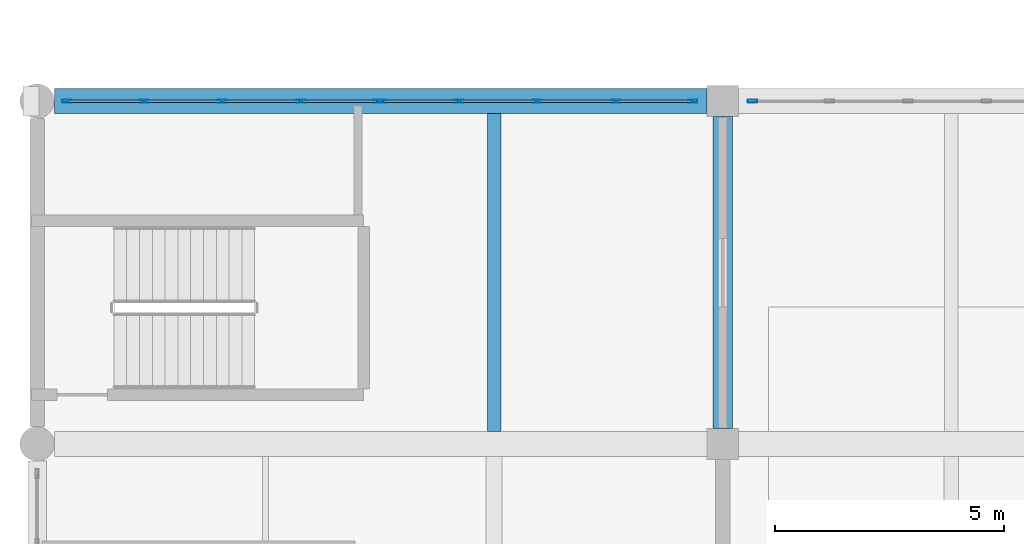
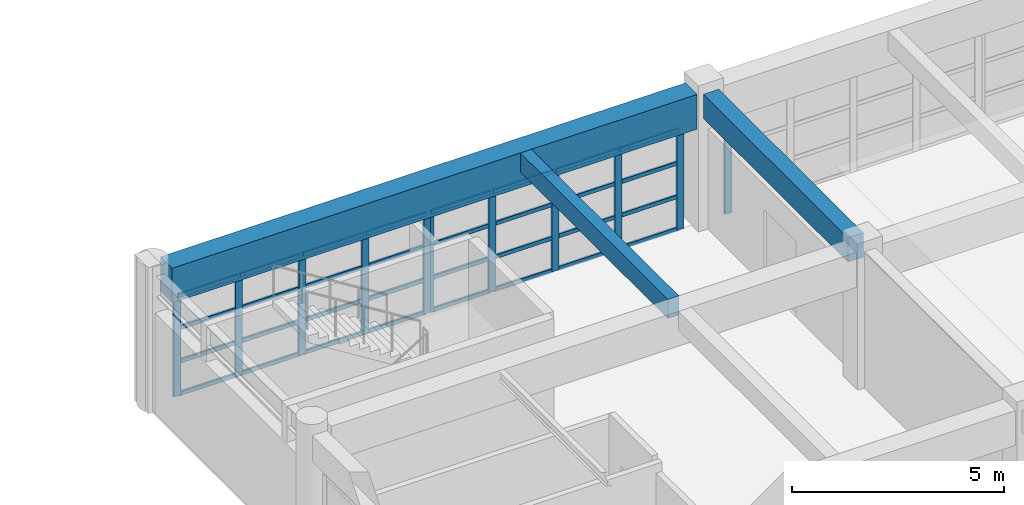
# One storey, part 20 of 132: 43 members, 3 beams, 3 elements without a shape of their own.
"""IFC4 building model written with IfcOpenShell, lengths in metres."""

from ifc_helpers import new_model, si_unit, direction, frame, origin, origin_2d, place, context, subcontext, project, spatial, rectangle, hollow_rectangle, extrude, material, material_profile, profile_set, type_object, element, aggregate, save


model = new_model("IFC4")

# Units and contexts
model_context = context("Model", 3, precision=1e-05, world=origin(), true_north=direction((0.0, 1.0)))
body_context = subcontext(model_context, "Body", "Model", "MODEL_VIEW")
ifc_project = project(units=[si_unit("LENGTHUNIT", "METRE"), si_unit("AREAUNIT", "SQUARE_METRE"), si_unit("VOLUMEUNIT", "CUBIC_METRE"), si_unit("PLANEANGLEUNIT", "RADIAN"), si_unit("MASSUNIT", "GRAM", prefix="KILO")], contexts=[model_context])

# Site, building, storey
site_placement = place(None, origin())
site = spatial("IfcSite", under=ifc_project, at=site_placement, CompositionType="ELEMENT")
building_placement = place(site_placement, origin())
building = spatial("IfcBuilding", under=site, at=building_placement, Name="Qasida Concert Hall", CompositionType="ELEMENT")
storey_placement = place(building_placement, frame((0.0, 0.0, 4.800048828125)))
storey = spatial("IfcBuildingStorey", under=building, at=storey_placement, Name="L01", CompositionType="ELEMENT", Elevation=4.800048828125)

# Beams
ifc_material_1 = material(Name="Concrete C40/50", Category="concrete")
ifc_material_profile_1 = material_profile(ifc_material_1, rectangle(XDim=0.419921875, YDim=0.699951171875, at=origin_2d()), Name="RC 420x700")
ifc_profile_set_1 = profile_set([ifc_material_profile_1], Name="Concrete C40/50")
beam_type_1 = type_object("IfcBeamType", Name="BM-B11", PredefinedType="BEAM", material=ifc_profile_set_1)
beam_1_placement = place(storey_placement, frame((15.0, 45.340087890625, 3.570068359375), z_axis=(0.0, 1.0, 0.0), x_axis=(-1.0, 0.0, 0.0)))
element("IfcBeam", 1, at=beam_1_placement, inside=storey, type_object=beam_type_1, Name="L01 girder 0933", PredefinedType="BEAM", context=body_context, shape_type="SweptSolid", body=[
    extrude(rectangle(XDim=0.419921875, YDim=0.699951171875, at=origin_2d()), origin(), (0.0, 0.0, 1.0), 6.81982421875),
])
ifc_material_profile_2 = material_profile(ifc_material_1, rectangle(XDim=0.550048828125, YDim=1.0, at=origin_2d()), Name="RC 550x1000")
ifc_profile_set_2 = profile_set([ifc_material_profile_2], Name="Concrete C40/50")
beam_type_2 = type_object("IfcBeamType", Name="BM-G3", PredefinedType="USERDEFINED", material=ifc_profile_set_2)
beam_2_placement = place(storey_placement, frame((0.375, 52.5, 3.419921875), z_axis=(1.0, 0.0, 0.0), x_axis=(0.0, 1.0, 0.0)))
element("IfcBeam", 2, at=beam_2_placement, inside=storey, type_object=beam_type_2, Name="Primary girder 0917", ObjectType="GIRDER", PredefinedType="USERDEFINED", context=body_context, shape_type="SweptSolid", body=[
    extrude(rectangle(XDim=0.550048828125, YDim=1.0, at=origin_2d()), origin(), (0.0, 0.0, 1.0), 14.284912109375),
])
ifc_material_profile_3 = material_profile(ifc_material_1, rectangle(XDim=0.300048828125, YDim=0.550048828125, at=origin_2d()), Name="RC 300x550")
ifc_profile_set_3 = profile_set([ifc_material_profile_3], Name="Concrete C40/50")
beam_type_3 = type_object("IfcBeamType", Name="BM-J1", PredefinedType="JOIST", material=ifc_profile_set_3)
beam_3_placement = place(storey_placement, frame((10.0, 45.27490234375, 3.64501953125), z_axis=(0.0, 1.0, 0.0), x_axis=(-1.0, 0.0, 0.0)))
element("IfcBeam", 3, at=beam_3_placement, inside=storey, type_object=beam_type_3, Name="L01 secondary joist 0959", PredefinedType="JOIST", context=body_context, shape_type="SweptSolid", body=[
    extrude(rectangle(XDim=0.300048828125, YDim=0.550048828125, at=origin_2d()), origin(), (0.0, 0.0, 1.0), 6.9501953125),
])

# Curtain wall, members
ifc_material_2 = material(Name="Architectural bronze-anodized aluminium and low-E glass", Category="aluminium")
curtain_wall_type = type_object("IfcCurtainWallType", Name="CW-07", PredefinedType="NOTDEFINED", material=ifc_material_2)
curtain_wall_1_placement = place(storey_placement, origin())
curtain_wall_1 = element("IfcCurtainWall", 4, at=curtain_wall_1_placement, inside=storey, type_object=curtain_wall_type, Name="L01 curtain wall CW-07 0082", PredefinedType="NOTDEFINED")
ifc_material_3 = material(Name="Architectural bronze-anodized aluminium EN AW-6063", Category="aluminium")
ifc_material_profile_4 = material_profile(ifc_material_3, hollow_rectangle(XDim=0.06494140625, YDim=0.199951171875, WallThickness=0.0048828125, InnerFilletRadius=0.0048828125, OuterFilletRadius=0.010009765625, at=origin_2d()), Name="CWM 200x65x5")
ifc_profile_set_4 = profile_set([ifc_material_profile_4], Name="Architectural bronze-anodized aluminium EN AW-6063")
member_type_1 = type_object("IfcMemberType", Name="MB-CWM-2", PredefinedType="MULLION", material=ifc_profile_set_4)
member_1_placement = place(storey_placement, frame((0.652587890625, 52.5, 0.0), z_axis=(0.0, 0.0, 1.0), x_axis=(0.0, 1.0, 0.0)))
member_1 = element("IfcMember", 5, at=member_1_placement, type_object=member_type_1, Name="CW-07 mullion 1", PredefinedType="MULLION", context=body_context, shape_type="SweptSolid", body=[
    extrude(hollow_rectangle(XDim=0.06494140625, YDim=0.199951171875, WallThickness=0.0048828125, InnerFilletRadius=0.0048828125, OuterFilletRadius=0.010009765625, at=origin_2d()), origin(), (0.0, 0.0, 1.0), 2.889892578125),
])
member_2_placement = place(storey_placement, frame((2.33740234375, 52.5, 0.0), z_axis=(0.0, 0.0, 1.0), x_axis=(0.0, 1.0, 0.0)))
member_2 = element("IfcMember", 6, at=member_2_placement, type_object=member_type_1, Name="CW-07 mullion 2", PredefinedType="MULLION", context=body_context, shape_type="SweptSolid", body=[
    extrude(hollow_rectangle(XDim=0.06494140625, YDim=0.199951171875, WallThickness=0.0048828125, InnerFilletRadius=0.0048828125, OuterFilletRadius=0.010009765625, at=origin_2d()), origin(), (0.0, 0.0, 1.0), 2.889892578125),
])
member_3_placement = place(storey_placement, frame((4.054931640625, 52.5, 0.0), z_axis=(0.0, 0.0, 1.0), x_axis=(0.0, 1.0, 0.0)))
member_3 = element("IfcMember", 7, at=member_3_placement, type_object=member_type_1, Name="CW-07 mullion 3", PredefinedType="MULLION", context=body_context, shape_type="SweptSolid", body=[
    extrude(hollow_rectangle(XDim=0.06494140625, YDim=0.199951171875, WallThickness=0.0048828125, InnerFilletRadius=0.0048828125, OuterFilletRadius=0.010009765625, at=origin_2d()), origin(), (0.0, 0.0, 1.0), 2.889892578125),
])
member_4_placement = place(storey_placement, frame((5.7724609375, 52.5, 0.0), z_axis=(0.0, 0.0, 1.0), x_axis=(0.0, 1.0, 0.0)))
member_4 = element("IfcMember", 8, at=member_4_placement, type_object=member_type_1, Name="CW-07 mullion 4", PredefinedType="MULLION", context=body_context, shape_type="SweptSolid", body=[
    extrude(hollow_rectangle(XDim=0.06494140625, YDim=0.199951171875, WallThickness=0.0048828125, InnerFilletRadius=0.0048828125, OuterFilletRadius=0.010009765625, at=origin_2d()), origin(), (0.0, 0.0, 1.0), 2.889892578125),
])
member_5_placement = place(storey_placement, frame((7.45751953125, 52.5, 0.0), z_axis=(0.0, 0.0, 1.0), x_axis=(0.0, 1.0, 0.0)))
member_5 = element("IfcMember", 9, at=member_5_placement, type_object=member_type_1, Name="CW-07 mullion 5", PredefinedType="MULLION", context=body_context, shape_type="SweptSolid", body=[
    extrude(hollow_rectangle(XDim=0.06494140625, YDim=0.199951171875, WallThickness=0.0048828125, InnerFilletRadius=0.0048828125, OuterFilletRadius=0.010009765625, at=origin_2d()), origin(), (0.0, 0.0, 1.0), 2.889892578125),
])

curtain_wall_2_placement = place(storey_placement, origin())
curtain_wall_2 = element("IfcCurtainWall", 10, at=curtain_wall_2_placement, inside=storey, type_object=curtain_wall_type, Name="L01 curtain wall CW-07 0084", PredefinedType="NOTDEFINED")
member_6_placement = place(storey_placement, frame((7.54248046875, 52.5, 0.0), z_axis=(0.0, 0.0, 1.0), x_axis=(0.0, 1.0, 0.0)))
member_6 = element("IfcMember", 11, at=member_6_placement, type_object=member_type_1, Name="CW-07 mullion 1", PredefinedType="MULLION", context=body_context, shape_type="SweptSolid", body=[
    extrude(hollow_rectangle(XDim=0.06494140625, YDim=0.199951171875, WallThickness=0.0048828125, InnerFilletRadius=0.0048828125, OuterFilletRadius=0.010009765625, at=origin_2d()), origin(), (0.0, 0.0, 1.0), 2.889892578125),
])
member_7_placement = place(storey_placement, frame((9.2275390625, 52.5, 0.0), z_axis=(0.0, 0.0, 1.0), x_axis=(0.0, 1.0, 0.0)))
member_7 = element("IfcMember", 12, at=member_7_placement, type_object=member_type_1, Name="CW-07 mullion 2", PredefinedType="MULLION", context=body_context, shape_type="SweptSolid", body=[
    extrude(hollow_rectangle(XDim=0.06494140625, YDim=0.199951171875, WallThickness=0.0048828125, InnerFilletRadius=0.0048828125, OuterFilletRadius=0.010009765625, at=origin_2d()), origin(), (0.0, 0.0, 1.0), 2.889892578125),
])
member_8_placement = place(storey_placement, frame((10.945068359375, 52.5, 0.0), z_axis=(0.0, 0.0, 1.0), x_axis=(0.0, 1.0, 0.0)))
member_8 = element("IfcMember", 13, at=member_8_placement, type_object=member_type_1, Name="CW-07 mullion 3", PredefinedType="MULLION", context=body_context, shape_type="SweptSolid", body=[
    extrude(hollow_rectangle(XDim=0.06494140625, YDim=0.199951171875, WallThickness=0.0048828125, InnerFilletRadius=0.0048828125, OuterFilletRadius=0.010009765625, at=origin_2d()), origin(), (0.0, 0.0, 1.0), 2.889892578125),
])
member_9_placement = place(storey_placement, frame((12.66259765625, 52.5, 0.0), z_axis=(0.0, 0.0, 1.0), x_axis=(0.0, 1.0, 0.0)))
member_9 = element("IfcMember", 14, at=member_9_placement, type_object=member_type_1, Name="CW-07 mullion 4", PredefinedType="MULLION", context=body_context, shape_type="SweptSolid", body=[
    extrude(hollow_rectangle(XDim=0.06494140625, YDim=0.199951171875, WallThickness=0.0048828125, InnerFilletRadius=0.0048828125, OuterFilletRadius=0.010009765625, at=origin_2d()), origin(), (0.0, 0.0, 1.0), 2.889892578125),
])
member_10_placement = place(storey_placement, frame((14.347412109375, 52.5, 0.0), z_axis=(0.0, 0.0, 1.0), x_axis=(0.0, 1.0, 0.0)))
member_10 = element("IfcMember", 15, at=member_10_placement, type_object=member_type_1, Name="CW-07 mullion 5", PredefinedType="MULLION", context=body_context, shape_type="SweptSolid", body=[
    extrude(hollow_rectangle(XDim=0.06494140625, YDim=0.199951171875, WallThickness=0.0048828125, InnerFilletRadius=0.0048828125, OuterFilletRadius=0.010009765625, at=origin_2d()), origin(), (0.0, 0.0, 1.0), 2.889892578125),
])

# Curtain wall, member
curtain_wall_3_placement = place(storey_placement, origin())
curtain_wall_3 = element("IfcCurtainWall", 16, at=curtain_wall_3_placement, inside=storey, type_object=curtain_wall_type, Name="L01 curtain wall CW-07 0086", PredefinedType="NOTDEFINED")
member_11_placement = place(storey_placement, frame((15.652587890625, 52.5, 0.0), z_axis=(0.0, 0.0, 1.0), x_axis=(0.0, 1.0, 0.0)))
member_11 = element("IfcMember", 17, at=member_11_placement, type_object=member_type_1, Name="CW-07 mullion 1", PredefinedType="MULLION", context=body_context, shape_type="SweptSolid", body=[
    extrude(hollow_rectangle(XDim=0.06494140625, YDim=0.199951171875, WallThickness=0.0048828125, InnerFilletRadius=0.0048828125, OuterFilletRadius=0.010009765625, at=origin_2d()), origin(), (0.0, 0.0, 1.0), 2.889892578125),
])
aggregate(curtain_wall_3, [member_11])

# Member
ifc_material_profile_5 = material_profile(ifc_material_3, hollow_rectangle(XDim=0.06005859375, YDim=0.1201171875, WallThickness=0.00390625, InnerFilletRadius=0.00390625, OuterFilletRadius=0.008056640625, at=origin_2d()), Name="CWT 120x60x4")
ifc_profile_set_5 = profile_set([ifc_material_profile_5], Name="Architectural bronze-anodized aluminium EN AW-6063")
member_type_2 = type_object("IfcMemberType", Name="MB-CWT-2", PredefinedType="USERDEFINED", material=ifc_profile_set_5)
member_12_placement = place(storey_placement, frame((0.68505859375, 52.5, 0.030029296875), z_axis=(1.0, 0.0, 0.0), x_axis=(0.0, 1.0, 0.0)))
member_12 = element("IfcMember", 18, at=member_12_placement, type_object=member_type_2, Name="CW-07 transom 1.1", ObjectType="TRANSOM", PredefinedType="USERDEFINED", context=body_context, shape_type="SweptSolid", body=[
    extrude(hollow_rectangle(XDim=0.06005859375, YDim=0.1201171875, WallThickness=0.00390625, InnerFilletRadius=0.00390625, OuterFilletRadius=0.008056640625, at=origin_2d()), origin(), (0.0, 0.0, 1.0), 1.619873046875),
])

member_13_placement = place(storey_placement, frame((0.68505859375, 52.5, 0.963134765625), z_axis=(1.0, 0.0, 0.0), x_axis=(0.0, 1.0, 0.0)))
member_13 = element("IfcMember", 19, at=member_13_placement, type_object=member_type_2, Name="CW-07 transom 1.2", ObjectType="TRANSOM", PredefinedType="USERDEFINED", context=body_context, shape_type="SweptSolid", body=[
    extrude(hollow_rectangle(XDim=0.06005859375, YDim=0.1201171875, WallThickness=0.00390625, InnerFilletRadius=0.00390625, OuterFilletRadius=0.008056640625, at=origin_2d()), origin(), (0.0, 0.0, 1.0), 1.619873046875),
])

member_14_placement = place(storey_placement, frame((0.68505859375, 52.5, 1.9267578125), z_axis=(1.0, 0.0, 0.0), x_axis=(0.0, 1.0, 0.0)))
member_14 = element("IfcMember", 20, at=member_14_placement, type_object=member_type_2, Name="CW-07 transom 1.3", ObjectType="TRANSOM", PredefinedType="USERDEFINED", context=body_context, shape_type="SweptSolid", body=[
    extrude(hollow_rectangle(XDim=0.06005859375, YDim=0.1201171875, WallThickness=0.00390625, InnerFilletRadius=0.00390625, OuterFilletRadius=0.008056640625, at=origin_2d()), origin(), (0.0, 0.0, 1.0), 1.619873046875),
])

member_15_placement = place(storey_placement, frame((0.68505859375, 52.5, 2.85986328125), z_axis=(1.0, 0.0, 0.0), x_axis=(0.0, 1.0, 0.0)))
member_15 = element("IfcMember", 21, at=member_15_placement, type_object=member_type_2, Name="CW-07 transom 1.4", ObjectType="TRANSOM", PredefinedType="USERDEFINED", context=body_context, shape_type="SweptSolid", body=[
    extrude(hollow_rectangle(XDim=0.06005859375, YDim=0.1201171875, WallThickness=0.00390625, InnerFilletRadius=0.00390625, OuterFilletRadius=0.008056640625, at=origin_2d()), origin(), (0.0, 0.0, 1.0), 1.619873046875),
])

member_16_placement = place(storey_placement, frame((2.3701171875, 52.5, 0.030029296875), z_axis=(1.0, 0.0, 0.0), x_axis=(0.0, 1.0, 0.0)))
member_16 = element("IfcMember", 22, at=member_16_placement, type_object=member_type_2, Name="CW-07 transom 2.1", ObjectType="TRANSOM", PredefinedType="USERDEFINED", context=body_context, shape_type="SweptSolid", body=[
    extrude(hollow_rectangle(XDim=0.06005859375, YDim=0.1201171875, WallThickness=0.00390625, InnerFilletRadius=0.00390625, OuterFilletRadius=0.008056640625, at=origin_2d()), origin(), (0.0, 0.0, 1.0), 1.65234375),
])

member_17_placement = place(storey_placement, frame((2.3701171875, 52.5, 0.963134765625), z_axis=(1.0, 0.0, 0.0), x_axis=(0.0, 1.0, 0.0)))
member_17 = element("IfcMember", 23, at=member_17_placement, type_object=member_type_2, Name="CW-07 transom 2.2", ObjectType="TRANSOM", PredefinedType="USERDEFINED", context=body_context, shape_type="SweptSolid", body=[
    extrude(hollow_rectangle(XDim=0.06005859375, YDim=0.1201171875, WallThickness=0.00390625, InnerFilletRadius=0.00390625, OuterFilletRadius=0.008056640625, at=origin_2d()), origin(), (0.0, 0.0, 1.0), 1.65234375),
])

member_18_placement = place(storey_placement, frame((2.3701171875, 52.5, 1.9267578125), z_axis=(1.0, 0.0, 0.0), x_axis=(0.0, 1.0, 0.0)))
member_18 = element("IfcMember", 24, at=member_18_placement, type_object=member_type_2, Name="CW-07 transom 2.3", ObjectType="TRANSOM", PredefinedType="USERDEFINED", context=body_context, shape_type="SweptSolid", body=[
    extrude(hollow_rectangle(XDim=0.06005859375, YDim=0.1201171875, WallThickness=0.00390625, InnerFilletRadius=0.00390625, OuterFilletRadius=0.008056640625, at=origin_2d()), origin(), (0.0, 0.0, 1.0), 1.65234375),
])

member_19_placement = place(storey_placement, frame((2.3701171875, 52.5, 2.85986328125), z_axis=(1.0, 0.0, 0.0), x_axis=(0.0, 1.0, 0.0)))
member_19 = element("IfcMember", 25, at=member_19_placement, type_object=member_type_2, Name="CW-07 transom 2.4", ObjectType="TRANSOM", PredefinedType="USERDEFINED", context=body_context, shape_type="SweptSolid", body=[
    extrude(hollow_rectangle(XDim=0.06005859375, YDim=0.1201171875, WallThickness=0.00390625, InnerFilletRadius=0.00390625, OuterFilletRadius=0.008056640625, at=origin_2d()), origin(), (0.0, 0.0, 1.0), 1.65234375),
])

member_20_placement = place(storey_placement, frame((4.08740234375, 52.5, 0.030029296875), z_axis=(1.0, 0.0, 0.0), x_axis=(0.0, 1.0, 0.0)))
member_20 = element("IfcMember", 26, at=member_20_placement, type_object=member_type_2, Name="CW-07 transom 3.1", ObjectType="TRANSOM", PredefinedType="USERDEFINED", context=body_context, shape_type="SweptSolid", body=[
    extrude(hollow_rectangle(XDim=0.06005859375, YDim=0.1201171875, WallThickness=0.00390625, InnerFilletRadius=0.00390625, OuterFilletRadius=0.008056640625, at=origin_2d()), origin(), (0.0, 0.0, 1.0), 1.652587890625),
])

member_21_placement = place(storey_placement, frame((4.08740234375, 52.5, 0.963134765625), z_axis=(1.0, 0.0, 0.0), x_axis=(0.0, 1.0, 0.0)))
member_21 = element("IfcMember", 27, at=member_21_placement, type_object=member_type_2, Name="CW-07 transom 3.2", ObjectType="TRANSOM", PredefinedType="USERDEFINED", context=body_context, shape_type="SweptSolid", body=[
    extrude(hollow_rectangle(XDim=0.06005859375, YDim=0.1201171875, WallThickness=0.00390625, InnerFilletRadius=0.00390625, OuterFilletRadius=0.008056640625, at=origin_2d()), origin(), (0.0, 0.0, 1.0), 1.652587890625),
])

member_22_placement = place(storey_placement, frame((4.08740234375, 52.5, 1.9267578125), z_axis=(1.0, 0.0, 0.0), x_axis=(0.0, 1.0, 0.0)))
member_22 = element("IfcMember", 28, at=member_22_placement, type_object=member_type_2, Name="CW-07 transom 3.3", ObjectType="TRANSOM", PredefinedType="USERDEFINED", context=body_context, shape_type="SweptSolid", body=[
    extrude(hollow_rectangle(XDim=0.06005859375, YDim=0.1201171875, WallThickness=0.00390625, InnerFilletRadius=0.00390625, OuterFilletRadius=0.008056640625, at=origin_2d()), origin(), (0.0, 0.0, 1.0), 1.652587890625),
])

member_23_placement = place(storey_placement, frame((4.08740234375, 52.5, 2.85986328125), z_axis=(1.0, 0.0, 0.0), x_axis=(0.0, 1.0, 0.0)))
member_23 = element("IfcMember", 29, at=member_23_placement, type_object=member_type_2, Name="CW-07 transom 3.4", ObjectType="TRANSOM", PredefinedType="USERDEFINED", context=body_context, shape_type="SweptSolid", body=[
    extrude(hollow_rectangle(XDim=0.06005859375, YDim=0.1201171875, WallThickness=0.00390625, InnerFilletRadius=0.00390625, OuterFilletRadius=0.008056640625, at=origin_2d()), origin(), (0.0, 0.0, 1.0), 1.652587890625),
])

member_24_placement = place(storey_placement, frame((5.804931640625, 52.5, 0.030029296875), z_axis=(1.0, 0.0, 0.0), x_axis=(0.0, 1.0, 0.0)))
member_24 = element("IfcMember", 30, at=member_24_placement, type_object=member_type_2, Name="CW-07 transom 4.1", ObjectType="TRANSOM", PredefinedType="USERDEFINED", context=body_context, shape_type="SweptSolid", body=[
    extrude(hollow_rectangle(XDim=0.06005859375, YDim=0.1201171875, WallThickness=0.00390625, InnerFilletRadius=0.00390625, OuterFilletRadius=0.008056640625, at=origin_2d()), origin(), (0.0, 0.0, 1.0), 1.6201171875),
])

member_25_placement = place(storey_placement, frame((5.804931640625, 52.5, 0.963134765625), z_axis=(1.0, 0.0, 0.0), x_axis=(0.0, 1.0, 0.0)))
member_25 = element("IfcMember", 31, at=member_25_placement, type_object=member_type_2, Name="CW-07 transom 4.2", ObjectType="TRANSOM", PredefinedType="USERDEFINED", context=body_context, shape_type="SweptSolid", body=[
    extrude(hollow_rectangle(XDim=0.06005859375, YDim=0.1201171875, WallThickness=0.00390625, InnerFilletRadius=0.00390625, OuterFilletRadius=0.008056640625, at=origin_2d()), origin(), (0.0, 0.0, 1.0), 1.6201171875),
])

member_26_placement = place(storey_placement, frame((5.804931640625, 52.5, 1.9267578125), z_axis=(1.0, 0.0, 0.0), x_axis=(0.0, 1.0, 0.0)))
member_26 = element("IfcMember", 32, at=member_26_placement, type_object=member_type_2, Name="CW-07 transom 4.3", ObjectType="TRANSOM", PredefinedType="USERDEFINED", context=body_context, shape_type="SweptSolid", body=[
    extrude(hollow_rectangle(XDim=0.06005859375, YDim=0.1201171875, WallThickness=0.00390625, InnerFilletRadius=0.00390625, OuterFilletRadius=0.008056640625, at=origin_2d()), origin(), (0.0, 0.0, 1.0), 1.6201171875),
])

member_27_placement = place(storey_placement, frame((5.804931640625, 52.5, 2.85986328125), z_axis=(1.0, 0.0, 0.0), x_axis=(0.0, 1.0, 0.0)))
member_27 = element("IfcMember", 33, at=member_27_placement, type_object=member_type_2, Name="CW-07 transom 4.4", ObjectType="TRANSOM", PredefinedType="USERDEFINED", context=body_context, shape_type="SweptSolid", body=[
    extrude(hollow_rectangle(XDim=0.06005859375, YDim=0.1201171875, WallThickness=0.00390625, InnerFilletRadius=0.00390625, OuterFilletRadius=0.008056640625, at=origin_2d()), origin(), (0.0, 0.0, 1.0), 1.6201171875),
])

aggregate(curtain_wall_1, [member_1, member_2, member_3, member_4, member_5, member_12, member_13, member_14, member_15, member_16, member_17, member_18, member_19, member_20, member_21, member_22, member_23, member_24, member_25, member_26, member_27])

member_28_placement = place(storey_placement, frame((7.574951171875, 52.5, 0.030029296875), z_axis=(1.0, 0.0, 0.0), x_axis=(0.0, 1.0, 0.0)))
member_28 = element("IfcMember", 34, at=member_28_placement, type_object=member_type_2, Name="CW-07 transom 1.1", ObjectType="TRANSOM", PredefinedType="USERDEFINED", context=body_context, shape_type="SweptSolid", body=[
    extrude(hollow_rectangle(XDim=0.06005859375, YDim=0.1201171875, WallThickness=0.00390625, InnerFilletRadius=0.00390625, OuterFilletRadius=0.008056640625, at=origin_2d()), origin(), (0.0, 0.0, 1.0), 1.6201171875),
])

member_29_placement = place(storey_placement, frame((7.574951171875, 52.5, 0.963134765625), z_axis=(1.0, 0.0, 0.0), x_axis=(0.0, 1.0, 0.0)))
member_29 = element("IfcMember", 35, at=member_29_placement, type_object=member_type_2, Name="CW-07 transom 1.2", ObjectType="TRANSOM", PredefinedType="USERDEFINED", context=body_context, shape_type="SweptSolid", body=[
    extrude(hollow_rectangle(XDim=0.06005859375, YDim=0.1201171875, WallThickness=0.00390625, InnerFilletRadius=0.00390625, OuterFilletRadius=0.008056640625, at=origin_2d()), origin(), (0.0, 0.0, 1.0), 1.6201171875),
])

member_30_placement = place(storey_placement, frame((7.574951171875, 52.5, 1.9267578125), z_axis=(1.0, 0.0, 0.0), x_axis=(0.0, 1.0, 0.0)))
member_30 = element("IfcMember", 36, at=member_30_placement, type_object=member_type_2, Name="CW-07 transom 1.3", ObjectType="TRANSOM", PredefinedType="USERDEFINED", context=body_context, shape_type="SweptSolid", body=[
    extrude(hollow_rectangle(XDim=0.06005859375, YDim=0.1201171875, WallThickness=0.00390625, InnerFilletRadius=0.00390625, OuterFilletRadius=0.008056640625, at=origin_2d()), origin(), (0.0, 0.0, 1.0), 1.6201171875),
])

member_31_placement = place(storey_placement, frame((7.574951171875, 52.5, 2.85986328125), z_axis=(1.0, 0.0, 0.0), x_axis=(0.0, 1.0, 0.0)))
member_31 = element("IfcMember", 37, at=member_31_placement, type_object=member_type_2, Name="CW-07 transom 1.4", ObjectType="TRANSOM", PredefinedType="USERDEFINED", context=body_context, shape_type="SweptSolid", body=[
    extrude(hollow_rectangle(XDim=0.06005859375, YDim=0.1201171875, WallThickness=0.00390625, InnerFilletRadius=0.00390625, OuterFilletRadius=0.008056640625, at=origin_2d()), origin(), (0.0, 0.0, 1.0), 1.6201171875),
])

member_32_placement = place(storey_placement, frame((9.260009765625, 52.5, 0.030029296875), z_axis=(1.0, 0.0, 0.0), x_axis=(0.0, 1.0, 0.0)))
member_32 = element("IfcMember", 38, at=member_32_placement, type_object=member_type_2, Name="CW-07 transom 2.1", ObjectType="TRANSOM", PredefinedType="USERDEFINED", context=body_context, shape_type="SweptSolid", body=[
    extrude(hollow_rectangle(XDim=0.06005859375, YDim=0.1201171875, WallThickness=0.00390625, InnerFilletRadius=0.00390625, OuterFilletRadius=0.008056640625, at=origin_2d()), origin(), (0.0, 0.0, 1.0), 1.652587890625),
])

member_33_placement = place(storey_placement, frame((9.260009765625, 52.5, 0.963134765625), z_axis=(1.0, 0.0, 0.0), x_axis=(0.0, 1.0, 0.0)))
member_33 = element("IfcMember", 39, at=member_33_placement, type_object=member_type_2, Name="CW-07 transom 2.2", ObjectType="TRANSOM", PredefinedType="USERDEFINED", context=body_context, shape_type="SweptSolid", body=[
    extrude(hollow_rectangle(XDim=0.06005859375, YDim=0.1201171875, WallThickness=0.00390625, InnerFilletRadius=0.00390625, OuterFilletRadius=0.008056640625, at=origin_2d()), origin(), (0.0, 0.0, 1.0), 1.652587890625),
])

member_34_placement = place(storey_placement, frame((9.260009765625, 52.5, 1.9267578125), z_axis=(1.0, 0.0, 0.0), x_axis=(0.0, 1.0, 0.0)))
member_34 = element("IfcMember", 40, at=member_34_placement, type_object=member_type_2, Name="CW-07 transom 2.3", ObjectType="TRANSOM", PredefinedType="USERDEFINED", context=body_context, shape_type="SweptSolid", body=[
    extrude(hollow_rectangle(XDim=0.06005859375, YDim=0.1201171875, WallThickness=0.00390625, InnerFilletRadius=0.00390625, OuterFilletRadius=0.008056640625, at=origin_2d()), origin(), (0.0, 0.0, 1.0), 1.652587890625),
])

member_35_placement = place(storey_placement, frame((9.260009765625, 52.5, 2.85986328125), z_axis=(1.0, 0.0, 0.0), x_axis=(0.0, 1.0, 0.0)))
member_35 = element("IfcMember", 41, at=member_35_placement, type_object=member_type_2, Name="CW-07 transom 2.4", ObjectType="TRANSOM", PredefinedType="USERDEFINED", context=body_context, shape_type="SweptSolid", body=[
    extrude(hollow_rectangle(XDim=0.06005859375, YDim=0.1201171875, WallThickness=0.00390625, InnerFilletRadius=0.00390625, OuterFilletRadius=0.008056640625, at=origin_2d()), origin(), (0.0, 0.0, 1.0), 1.652587890625),
])

member_36_placement = place(storey_placement, frame((10.9775390625, 52.5, 0.030029296875), z_axis=(1.0, 0.0, 0.0), x_axis=(0.0, 1.0, 0.0)))
member_36 = element("IfcMember", 42, at=member_36_placement, type_object=member_type_2, Name="CW-07 transom 3.1", ObjectType="TRANSOM", PredefinedType="USERDEFINED", context=body_context, shape_type="SweptSolid", body=[
    extrude(hollow_rectangle(XDim=0.06005859375, YDim=0.1201171875, WallThickness=0.00390625, InnerFilletRadius=0.00390625, OuterFilletRadius=0.008056640625, at=origin_2d()), origin(), (0.0, 0.0, 1.0), 1.65234375),
])

member_37_placement = place(storey_placement, frame((10.9775390625, 52.5, 0.963134765625), z_axis=(1.0, 0.0, 0.0), x_axis=(0.0, 1.0, 0.0)))
member_37 = element("IfcMember", 43, at=member_37_placement, type_object=member_type_2, Name="CW-07 transom 3.2", ObjectType="TRANSOM", PredefinedType="USERDEFINED", context=body_context, shape_type="SweptSolid", body=[
    extrude(hollow_rectangle(XDim=0.06005859375, YDim=0.1201171875, WallThickness=0.00390625, InnerFilletRadius=0.00390625, OuterFilletRadius=0.008056640625, at=origin_2d()), origin(), (0.0, 0.0, 1.0), 1.65234375),
])

member_38_placement = place(storey_placement, frame((10.9775390625, 52.5, 1.9267578125), z_axis=(1.0, 0.0, 0.0), x_axis=(0.0, 1.0, 0.0)))
member_38 = element("IfcMember", 44, at=member_38_placement, type_object=member_type_2, Name="CW-07 transom 3.3", ObjectType="TRANSOM", PredefinedType="USERDEFINED", context=body_context, shape_type="SweptSolid", body=[
    extrude(hollow_rectangle(XDim=0.06005859375, YDim=0.1201171875, WallThickness=0.00390625, InnerFilletRadius=0.00390625, OuterFilletRadius=0.008056640625, at=origin_2d()), origin(), (0.0, 0.0, 1.0), 1.65234375),
])

member_39_placement = place(storey_placement, frame((10.9775390625, 52.5, 2.85986328125), z_axis=(1.0, 0.0, 0.0), x_axis=(0.0, 1.0, 0.0)))
member_39 = element("IfcMember", 45, at=member_39_placement, type_object=member_type_2, Name="CW-07 transom 3.4", ObjectType="TRANSOM", PredefinedType="USERDEFINED", context=body_context, shape_type="SweptSolid", body=[
    extrude(hollow_rectangle(XDim=0.06005859375, YDim=0.1201171875, WallThickness=0.00390625, InnerFilletRadius=0.00390625, OuterFilletRadius=0.008056640625, at=origin_2d()), origin(), (0.0, 0.0, 1.0), 1.65234375),
])

member_40_placement = place(storey_placement, frame((12.695068359375, 52.5, 0.030029296875), z_axis=(1.0, 0.0, 0.0), x_axis=(0.0, 1.0, 0.0)))
member_40 = element("IfcMember", 46, at=member_40_placement, type_object=member_type_2, Name="CW-07 transom 4.1", ObjectType="TRANSOM", PredefinedType="USERDEFINED", context=body_context, shape_type="SweptSolid", body=[
    extrude(hollow_rectangle(XDim=0.06005859375, YDim=0.1201171875, WallThickness=0.00390625, InnerFilletRadius=0.00390625, OuterFilletRadius=0.008056640625, at=origin_2d()), origin(), (0.0, 0.0, 1.0), 1.619873046875),
])

member_41_placement = place(storey_placement, frame((12.695068359375, 52.5, 0.963134765625), z_axis=(1.0, 0.0, 0.0), x_axis=(0.0, 1.0, 0.0)))
member_41 = element("IfcMember", 47, at=member_41_placement, type_object=member_type_2, Name="CW-07 transom 4.2", ObjectType="TRANSOM", PredefinedType="USERDEFINED", context=body_context, shape_type="SweptSolid", body=[
    extrude(hollow_rectangle(XDim=0.06005859375, YDim=0.1201171875, WallThickness=0.00390625, InnerFilletRadius=0.00390625, OuterFilletRadius=0.008056640625, at=origin_2d()), origin(), (0.0, 0.0, 1.0), 1.619873046875),
])

member_42_placement = place(storey_placement, frame((12.695068359375, 52.5, 1.9267578125), z_axis=(1.0, 0.0, 0.0), x_axis=(0.0, 1.0, 0.0)))
member_42 = element("IfcMember", 48, at=member_42_placement, type_object=member_type_2, Name="CW-07 transom 4.3", ObjectType="TRANSOM", PredefinedType="USERDEFINED", context=body_context, shape_type="SweptSolid", body=[
    extrude(hollow_rectangle(XDim=0.06005859375, YDim=0.1201171875, WallThickness=0.00390625, InnerFilletRadius=0.00390625, OuterFilletRadius=0.008056640625, at=origin_2d()), origin(), (0.0, 0.0, 1.0), 1.619873046875),
])

member_43_placement = place(storey_placement, frame((12.695068359375, 52.5, 2.85986328125), z_axis=(1.0, 0.0, 0.0), x_axis=(0.0, 1.0, 0.0)))
member_43 = element("IfcMember", 49, at=member_43_placement, type_object=member_type_2, Name="CW-07 transom 4.4", ObjectType="TRANSOM", PredefinedType="USERDEFINED", context=body_context, shape_type="SweptSolid", body=[
    extrude(hollow_rectangle(XDim=0.06005859375, YDim=0.1201171875, WallThickness=0.00390625, InnerFilletRadius=0.00390625, OuterFilletRadius=0.008056640625, at=origin_2d()), origin(), (0.0, 0.0, 1.0), 1.619873046875),
])

aggregate(curtain_wall_2, [member_6, member_7, member_8, member_9, member_10, member_28, member_29, member_30, member_31, member_32, member_33, member_34, member_35, member_36, member_37, member_38, member_39, member_40, member_41, member_42, member_43])

save(model, "model.ifc")
